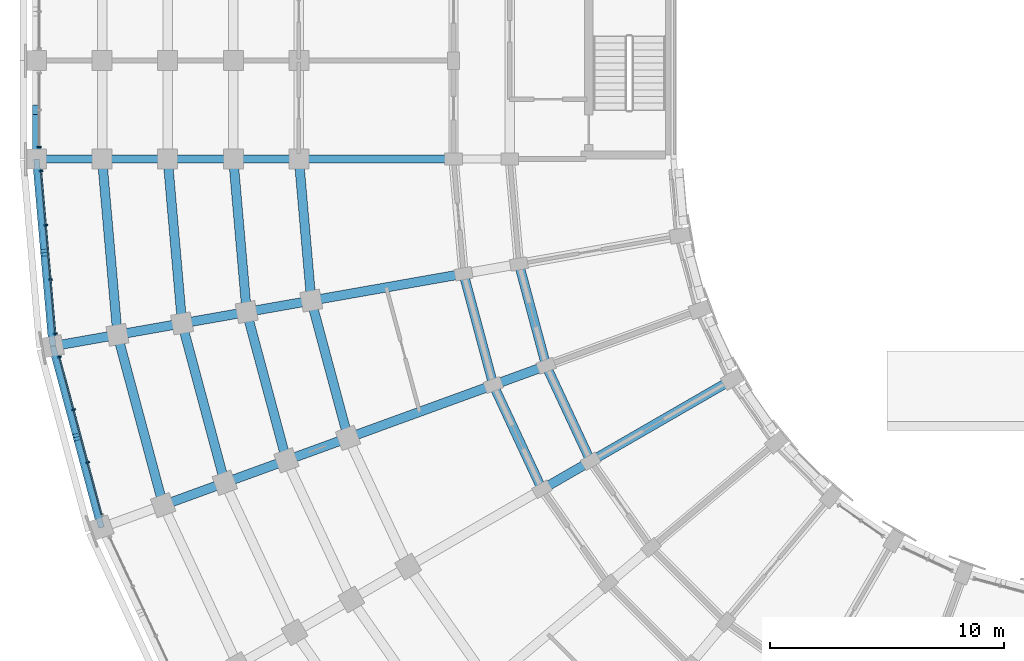
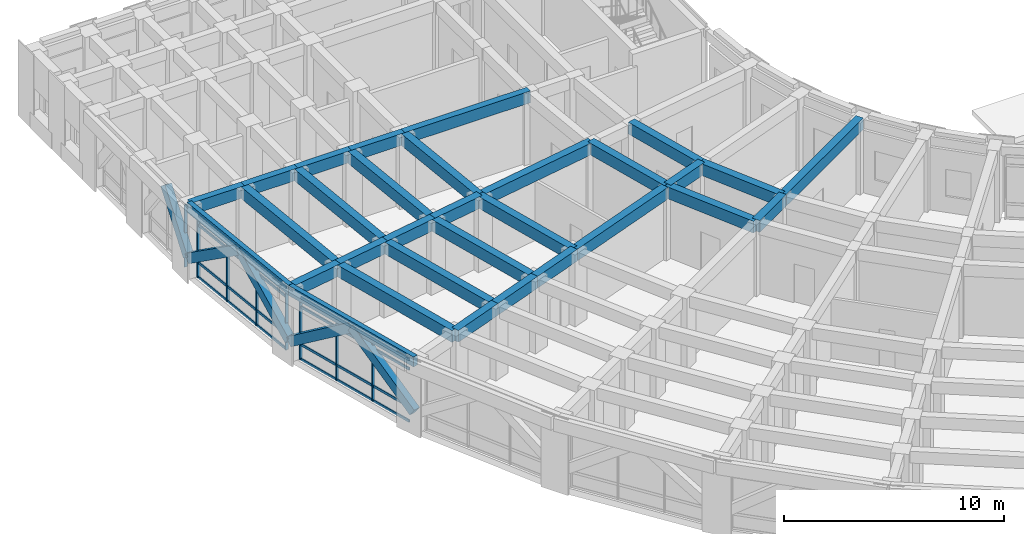
# One storey, part 11 of 97: 36 beams, 16 members, 3 elements without a shape of their own.
"""IFC4 building model written with IfcOpenShell, lengths in metres."""

from ifc_helpers import new_model, si_unit, direction, frame, origin, origin_2d, place, context, subcontext, project, spatial, rectangle, extrude, material, material_profile, profile_set, type_object, element, aggregate, save


model = new_model("IFC4")

# Units and contexts
model_context = context("Model", 3, precision=1e-05, world=origin(), true_north=direction((0.0, 1.0)))
body_context = subcontext(model_context, "Body", "Model", "MODEL_VIEW")
ifc_project = project(units=[si_unit("LENGTHUNIT", "METRE"), si_unit("AREAUNIT", "SQUARE_METRE"), si_unit("VOLUMEUNIT", "CUBIC_METRE"), si_unit("PLANEANGLEUNIT", "RADIAN"), si_unit("MASSUNIT", "GRAM", prefix="KILO")], contexts=[model_context])

# Site, building, storey
site_placement = place(None, origin())
site = spatial("IfcSite", under=ifc_project, at=site_placement, CompositionType="ELEMENT")
building_placement = place(site_placement, origin())
building = spatial("IfcBuilding", under=site, at=building_placement, Name="Kiranvali Square Residences", CompositionType="ELEMENT")
storey_placement = place(building_placement, frame((0.0, 0.0, 4.5)))
storey = spatial("IfcBuildingStorey", under=building, at=storey_placement, Name="L01", CompositionType="ELEMENT", Elevation=4.5)

# Beams
ifc_material_1 = material(Name="Concrete M40 (40 MPa)", Category="concrete")
ifc_material_profile_1 = material_profile(ifc_material_1, rectangle(XDim=0.35009765625, YDim=0.5, at=origin_2d()), Name="RC 350x500")
ifc_profile_set_1 = profile_set([ifc_material_profile_1], Name="Concrete M40 (40 MPa)")
beam_type_1 = type_object("IfcBeamType", Name="AR-M40-350x500", PredefinedType="USERDEFINED", material=ifc_profile_set_1)
for number, where, z_axis, x_axis, name in (
    (1, (4.9638671875, 32.505615234375, 0.89990234375), (-0.212753144827, 0.793981793339, 0.56949891239), (-0.965923890569, -0.2588262692, 0.0), "Classical pointed Ottoman arch rib ARCH-C-CRV-7-07.1"),
    (2, (3.9365234375, 36.339599609375, 3.64990234375), (-0.212753144827, 0.793981793339, -0.56949891239), (-0.965923890569, -0.2588262692, 0.0), "Classical pointed Ottoman arch rib ARCH-C-CRV-7-07.2"),
    (3, (2.895263671875, 40.251953125, 0.89990234375), (-0.07164281584, 0.818861711603, 0.569502242498), (-0.996194518621, -0.087157794078, 0.0), "Classical pointed Ottoman arch rib ARCH-C-CRV-7-08.1"),
    (4, (2.54931640625, 44.2060546875, 3.64990234375), (-0.07164281584, 0.818861711603, -0.569502242498), (-0.996194518621, -0.087157794078, 0.0), "Classical pointed Ottoman arch rib ARCH-C-CRV-7-08.2"),
):
    element("IfcBeam", number, at=place(storey_placement, frame(where, z_axis=z_axis, x_axis=x_axis)), inside=storey, type_object=beam_type_1, Name=name, ObjectType="ARCH RIB", PredefinedType="USERDEFINED", context=body_context, shape_type="SweptSolid", body=[
        extrude(rectangle(XDim=0.35009765625, YDim=0.5, at=origin_2d()), origin(), (0.0, 0.0, 1.0), 4.828857421875),
    ])
beam_1_placement = place(storey_placement, frame((2.199951171875, 48.239990234375, 0.89990234375), z_axis=(0.0, 0.599545163906, 0.800340925129), x_axis=(-1.0, 0.0, 0.0)))
element("IfcBeam", 5, at=beam_1_placement, inside=storey, type_object=beam_type_1, Name="Classical pointed Ottoman arch rib ARCH-C-A2-0.1", ObjectType="ARCH RIB", PredefinedType="USERDEFINED", context=body_context, shape_type="SweptSolid", body=[
    extrude(rectangle(XDim=0.35009765625, YDim=0.5, at=origin_2d()), origin(), (0.0, 0.0, 1.0), 3.43603515625),
])
ifc_material_profile_2 = material_profile(ifc_material_1, rectangle(XDim=0.35009765625, YDim=0.64990234375, at=origin_2d()), Name="RC 350x650")
ifc_profile_set_2 = profile_set([ifc_material_profile_2], Name="Concrete M40 (40 MPa)")
beam_type_2 = type_object("IfcBeamType", Name="BM-M40-350x650", PredefinedType="BEAM", material=ifc_profile_set_2)
beam_2_placement = place(storey_placement, frame((20.0, 48.199951171875, 3.655029296875), z_axis=(-1.0, 0.0, 0.0), x_axis=(0.0, -1.0, 0.0)))
element("IfcBeam", 6, at=beam_2_placement, inside=storey, type_object=beam_type_2, Name="L01 beam BM-C-L01-A2T0-23", PredefinedType="BEAM", context=body_context, shape_type="SweptSolid", body=[
    extrude(rectangle(XDim=0.35009765625, YDim=0.64990234375, at=origin_2d()), origin(), (0.0, 0.0, 1.0), 6.60009765625),
])
beam_3_placement = place(storey_placement, frame((13.39990234375, 48.199951171875, 3.655029296875), z_axis=(-1.0, 0.0, 0.0), x_axis=(0.0, -1.0, 0.0)))
element("IfcBeam", 7, at=beam_3_placement, inside=storey, type_object=beam_type_2, Name="L01 beam BM-C-L01-A2T0-34", PredefinedType="BEAM", context=body_context, shape_type="SweptSolid", body=[
    extrude(rectangle(XDim=0.35009765625, YDim=0.64990234375, at=origin_2d()), origin(), (0.0, 0.0, 1.0), 2.7998046875),
])
for number, where, z_axis, x_axis, name in (
    (8, (10.60009765625, 48.199951171875, 3.655029296875), (-1.0, 0.0, 0.0), (0.0, -1.0, 0.0), "L01 beam BM-C-L01-A2T0-45"),
    (9, (7.800048828125, 48.199951171875, 3.655029296875), (-1.0, 0.0, 0.0), (0.0, -1.0, 0.0), "L01 beam BM-C-L01-A2T0-56"),
    (10, (5.0, 48.199951171875, 3.655029296875), (-1.0, 0.0, 0.0), (0.0, -1.0, 0.0), "L01 beam BM-C-L01-A2T0-67"),
):
    element("IfcBeam", number, at=place(storey_placement, frame(where, z_axis=z_axis, x_axis=x_axis)), inside=storey, type_object=beam_type_2, Name=name, PredefinedType="BEAM", context=body_context, shape_type="SweptSolid", body=[
        extrude(rectangle(XDim=0.35009765625, YDim=0.64990234375, at=origin_2d()), origin(), (0.0, 0.0, 1.0), 2.800048828125),
    ])
ifc_material_2 = material(Name="Concrete M45 (45 MPa)", Category="concrete")
ifc_material_profile_3 = material_profile(ifc_material_2, rectangle(XDim=0.39990234375, YDim=0.64990234375, at=origin_2d()), Name="RC 400x650")
ifc_profile_set_3 = profile_set([ifc_material_profile_3], Name="Concrete M45 (45 MPa)")
beam_type_3 = type_object("IfcBeamType", Name="BM-M45-400x650", PredefinedType="BEAM", material=ifc_profile_set_3)
beam_4_placement = place(storey_placement, frame((25.8564453125, 35.300048828125, 3.655029296875), z_axis=(-0.422617978463, 0.906307919131, 0.0), x_axis=(-0.906307919131, -0.422617978463, 0.0)))
element("IfcBeam", 11, at=beam_4_placement, inside=storey, type_object=beam_type_3, Name="L01 beam BM-C-L01-C06-R1", PredefinedType="BEAM", context=body_context, shape_type="SweptSolid", body=[
    extrude(rectangle(XDim=0.39990234375, YDim=0.64990234375, at=origin_2d()), origin(), (0.0, 0.0, 1.0), 4.497314453125),
])
beam_5_placement = place(storey_placement, frame((23.778076171875, 34.10009765625, 3.655029296875), z_axis=(-0.422629854778, 0.906302381024, 0.0), x_axis=(-0.906302381024, -0.422629854778, 0.0)))
element("IfcBeam", 12, at=beam_5_placement, inside=storey, type_object=beam_type_3, Name="L01 beam BM-C-L01-C06-R2", PredefinedType="BEAM", context=body_context, shape_type="SweptSolid", body=[
    extrude(rectangle(XDim=0.39990234375, YDim=0.64990234375, at=origin_2d()), origin(), (0.0, 0.0, 1.0), 4.915283203125),
])
beam_6_placement = place(storey_placement, frame((23.955810546875, 39.3759765625, 3.655029296875), z_axis=(-0.258787642463, 0.965934240054, 0.0), x_axis=(-0.965934240054, -0.258787642463, 0.0)))
element("IfcBeam", 13, at=beam_6_placement, inside=storey, type_object=beam_type_3, Name="L01 beam BM-C-L01-C07-R1", PredefinedType="BEAM", context=body_context, shape_type="SweptSolid", body=[
    extrude(rectangle(XDim=0.39990234375, YDim=0.64990234375, at=origin_2d()), origin(), (0.0, 0.0, 1.0), 4.497314453125),
])
beam_7_placement = place(storey_placement, frame((21.70068359375, 38.554931640625, 3.655029296875), z_axis=(-0.258803112091, 0.965930095386, 0.0), x_axis=(-0.965930095386, -0.258803112091, 0.0)))
element("IfcBeam", 14, at=beam_7_placement, inside=storey, type_object=beam_type_3, Name="L01 beam BM-C-L01-C07-R2", PredefinedType="BEAM", context=body_context, shape_type="SweptSolid", body=[
    extrude(rectangle(XDim=0.39990234375, YDim=0.64990234375, at=origin_2d()), origin(), (0.0, 0.0, 1.0), 4.915771484375),
])
beam_8_placement = place(storey_placement, frame((15.498779296875, 36.297607421875, 3.655029296875), z_axis=(-0.258827283048, 0.965923618901, 0.0), x_axis=(-0.965923618901, -0.258827283048, 0.0)))
element("IfcBeam", 15, at=beam_8_placement, inside=storey, type_object=beam_type_3, Name="L01 beam BM-C-L01-C07-R3", PredefinedType="BEAM", context=body_context, shape_type="SweptSolid", body=[
    extrude(rectangle(XDim=0.39990234375, YDim=0.64990234375, at=origin_2d()), origin(), (0.0, 0.0, 1.0), 6.066162109375),
])
beam_9_placement = place(storey_placement, frame((12.86767578125, 35.340087890625, 3.655029296875), z_axis=(-0.258847178297, 0.965918287583, 0.0), x_axis=(-0.965918287583, -0.258847178297, 0.0)))
element("IfcBeam", 16, at=beam_9_placement, inside=storey, type_object=beam_type_3, Name="L01 beam BM-C-L01-C07-R4", PredefinedType="BEAM", context=body_context, shape_type="SweptSolid", body=[
    extrude(rectangle(XDim=0.39990234375, YDim=0.64990234375, at=origin_2d()), origin(), (0.0, 0.0, 1.0), 6.55419921875),
])
beam_10_placement = place(storey_placement, frame((10.236328125, 34.38232421875, 3.655029296875), z_axis=(-0.258799624492, 0.965931029817, 0.0), x_axis=(-0.965931029817, -0.258799624492, 0.0)))
element("IfcBeam", 17, at=beam_10_placement, inside=storey, type_object=beam_type_3, Name="L01 beam BM-C-L01-C07-R5", PredefinedType="BEAM", context=body_context, shape_type="SweptSolid", body=[
    extrude(rectangle(XDim=0.39990234375, YDim=0.64990234375, at=origin_2d()), origin(), (0.0, 0.0, 1.0), 7.042236328125),
])
beam_11_placement = place(storey_placement, frame((7.605224609375, 33.4248046875, 3.655029296875), z_axis=(-0.258818733833, 0.965925909693, 0.0), x_axis=(-0.965925909693, -0.258818733833, 0.0)))
element("IfcBeam", 18, at=beam_11_placement, inside=storey, type_object=beam_type_3, Name="L01 beam BM-C-L01-C07-R6", PredefinedType="BEAM", context=body_context, shape_type="SweptSolid", body=[
    extrude(rectangle(XDim=0.39990234375, YDim=0.64990234375, at=origin_2d()), origin(), (0.0, 0.0, 1.0), 7.5302734375),
])
beam_12_placement = place(storey_placement, frame((13.9287109375, 42.156982421875, 3.655029296875), z_axis=(-0.087174938512, 0.996193018494, 0.0), x_axis=(-0.996193018494, -0.087174938512, 0.0)))
element("IfcBeam", 19, at=beam_12_placement, inside=storey, type_object=beam_type_3, Name="L01 beam BM-C-L01-C08-R3", PredefinedType="BEAM", context=body_context, shape_type="SweptSolid", body=[
    extrude(rectangle(XDim=0.39990234375, YDim=0.64990234375, at=origin_2d()), origin(), (0.0, 0.0, 1.0), 6.066162109375),
])
beam_13_placement = place(storey_placement, frame((11.171142578125, 41.6708984375, 3.655029296875), z_axis=(-0.0871295204, 0.996196991902, 0.0), x_axis=(-0.996196991902, -0.0871295204, 0.0)))
element("IfcBeam", 20, at=beam_13_placement, inside=storey, type_object=beam_type_3, Name="L01 beam BM-C-L01-C08-R4", PredefinedType="BEAM", context=body_context, shape_type="SweptSolid", body=[
    extrude(rectangle(XDim=0.39990234375, YDim=0.64990234375, at=origin_2d()), origin(), (0.0, 0.0, 1.0), 6.553955078125),
])
beam_14_placement = place(storey_placement, frame((8.413818359375, 41.1845703125, 3.655029296875), z_axis=(-0.087156198737, 0.996194658198, 0.0), x_axis=(-0.996194658198, -0.087156198737, 0.0)))
element("IfcBeam", 21, at=beam_14_placement, inside=storey, type_object=beam_type_3, Name="L01 beam BM-C-L01-C08-R5", PredefinedType="BEAM", context=body_context, shape_type="SweptSolid", body=[
    extrude(rectangle(XDim=0.39990234375, YDim=0.64990234375, at=origin_2d()), origin(), (0.0, 0.0, 1.0), 7.042236328125),
])
beam_15_placement = place(storey_placement, frame((5.65625, 40.698486328125, 3.655029296875), z_axis=(-0.087150058103, 0.996195195417, 0.0), x_axis=(-0.996195195417, -0.087150058103, 0.0)))
element("IfcBeam", 22, at=beam_15_placement, inside=storey, type_object=beam_type_3, Name="L01 beam BM-C-L01-C08-R6", PredefinedType="BEAM", context=body_context, shape_type="SweptSolid", body=[
    extrude(rectangle(XDim=0.39990234375, YDim=0.64990234375, at=origin_2d()), origin(), (0.0, 0.0, 1.0), 7.530029296875),
])
beam_16_placement = place(storey_placement, frame((31.918701171875, 38.800048828125, 3.655029296875), z_axis=(-0.866028190633, -0.499995173006, 0.0), x_axis=(0.499995173006, -0.866028190633, 0.0)))
element("IfcBeam", 23, at=beam_16_placement, inside=storey, type_object=beam_type_3, Name="L01 beam BM-C-L01-RAD06-01", PredefinedType="BEAM", context=body_context, shape_type="SweptSolid", body=[
    extrude(rectangle(XDim=0.39990234375, YDim=0.64990234375, at=origin_2d()), origin(), (0.0, 0.0, 1.0), 7.0),
])
for number, where, z_axis, x_axis, name in (
    (24, (25.8564453125, 35.300048828125, 3.655029296875), (-0.866024647952, -0.500001309137, 0.0), (0.500001309137, -0.866024647952, 0.0), "L01 beam BM-C-L01-RAD06-12"),
    (25, (23.955810546875, 39.3759765625, 3.655029296875), (-0.939659694648, -0.342110593602, 0.0), (0.342110593602, -0.939659694648, 0.0), "L01 beam BM-C-L01-RAD07-12"),
):
    element("IfcBeam", number, at=place(storey_placement, frame(where, z_axis=z_axis, x_axis=x_axis)), inside=storey, type_object=beam_type_3, Name=name, PredefinedType="BEAM", context=body_context, shape_type="SweptSolid", body=[
        extrude(rectangle(XDim=0.39990234375, YDim=0.64990234375, at=origin_2d()), origin(), (0.0, 0.0, 1.0), 2.39990234375),
    ])
beam_17_placement = place(storey_placement, frame((21.70068359375, 38.554931640625, 3.655029296875), z_axis=(-0.939691858249, -0.342022238372, 0.0), x_axis=(0.342022238372, -0.939691858249, 0.0)))
element("IfcBeam", 26, at=beam_17_placement, inside=storey, type_object=beam_type_3, Name="L01 beam BM-C-L01-RAD07-23", PredefinedType="BEAM", context=body_context, shape_type="SweptSolid", body=[
    extrude(rectangle(XDim=0.39990234375, YDim=0.64990234375, at=origin_2d()), origin(), (0.0, 0.0, 1.0), 6.599853515625),
])
beam_18_placement = place(storey_placement, frame((15.498779296875, 36.297607421875, 3.655029296875), z_axis=(-0.93970683422, -0.341981089711, 0.0), x_axis=(0.341981089711, -0.93970683422, 0.0)))
element("IfcBeam", 27, at=beam_18_placement, inside=storey, type_object=beam_type_3, Name="L01 beam BM-C-L01-RAD07-34", PredefinedType="BEAM", context=body_context, shape_type="SweptSolid", body=[
    extrude(rectangle(XDim=0.39990234375, YDim=0.64990234375, at=origin_2d()), origin(), (0.0, 0.0, 1.0), 2.7998046875),
])
beam_19_placement = place(storey_placement, frame((12.86767578125, 35.340087890625, 3.655029296875), z_axis=(-0.939689011208, -0.342030060398, 0.0), x_axis=(0.342030060398, -0.939689011208, 0.0)))
element("IfcBeam", 28, at=beam_19_placement, inside=storey, type_object=beam_type_3, Name="L01 beam BM-C-L01-RAD07-45", PredefinedType="BEAM", context=body_context, shape_type="SweptSolid", body=[
    extrude(rectangle(XDim=0.39990234375, YDim=0.64990234375, at=origin_2d()), origin(), (0.0, 0.0, 1.0), 2.80029296875),
])
beam_20_placement = place(storey_placement, frame((10.236328125, 34.38232421875, 3.655029296875), z_axis=(-0.93970683422, -0.341981089711, 0.0), x_axis=(0.341981089711, -0.93970683422, 0.0)))
element("IfcBeam", 29, at=beam_20_placement, inside=storey, type_object=beam_type_3, Name="L01 beam BM-C-L01-RAD07-56", PredefinedType="BEAM", context=body_context, shape_type="SweptSolid", body=[
    extrude(rectangle(XDim=0.39990234375, YDim=0.64990234375, at=origin_2d()), origin(), (0.0, 0.0, 1.0), 2.7998046875),
])
beam_21_placement = place(storey_placement, frame((20.428466796875, 43.30322265625, 3.655029296875), z_axis=(-0.984803661269, -0.173671381499, 0.0), x_axis=(0.173671381499, -0.984803661269, 0.0)))
element("IfcBeam", 30, at=beam_21_placement, inside=storey, type_object=beam_type_3, Name="L01 beam BM-C-L01-RAD08-23", PredefinedType="BEAM", context=body_context, shape_type="SweptSolid", body=[
    extrude(rectangle(XDim=0.39990234375, YDim=0.64990234375, at=origin_2d()), origin(), (0.0, 0.0, 1.0), 6.60009765625),
])
beam_22_placement = place(storey_placement, frame((13.9287109375, 42.156982421875, 3.655029296875), z_axis=(-0.984816895441, -0.173596320392, 0.0), x_axis=(0.173596320392, -0.984816895441, 0.0)))
element("IfcBeam", 31, at=beam_22_placement, inside=storey, type_object=beam_type_3, Name="L01 beam BM-C-L01-RAD08-34", PredefinedType="BEAM", context=body_context, shape_type="SweptSolid", body=[
    extrude(rectangle(XDim=0.39990234375, YDim=0.64990234375, at=origin_2d()), origin(), (0.0, 0.0, 1.0), 2.800048828125),
])
beam_23_placement = place(storey_placement, frame((11.171142578125, 41.6708984375, 3.655029296875), z_axis=(-0.984799355489, -0.173695795656, 0.0), x_axis=(0.173695795656, -0.984799355489, 0.0)))
element("IfcBeam", 32, at=beam_23_placement, inside=storey, type_object=beam_type_3, Name="L01 beam BM-C-L01-RAD08-45", PredefinedType="BEAM", context=body_context, shape_type="SweptSolid", body=[
    extrude(rectangle(XDim=0.39990234375, YDim=0.64990234375, at=origin_2d()), origin(), (0.0, 0.0, 1.0), 2.7998046875),
])
beam_24_placement = place(storey_placement, frame((8.413818359375, 41.1845703125, 3.655029296875), z_axis=(-0.984816895441, -0.173596320392, 0.0), x_axis=(0.173596320392, -0.984816895441, 0.0)))
element("IfcBeam", 33, at=beam_24_placement, inside=storey, type_object=beam_type_3, Name="L01 beam BM-C-L01-RAD08-56", PredefinedType="BEAM", context=body_context, shape_type="SweptSolid", body=[
    extrude(rectangle(XDim=0.39990234375, YDim=0.64990234375, at=origin_2d()), origin(), (0.0, 0.0, 1.0), 2.800048828125),
])
beam_25_placement = place(storey_placement, frame((5.65625, 40.698486328125, 3.655029296875), z_axis=(-0.984799355489, -0.173695795656, 0.0), x_axis=(0.173695795656, -0.984799355489, 0.0)))
element("IfcBeam", 34, at=beam_25_placement, inside=storey, type_object=beam_type_3, Name="L01 beam BM-C-L01-RAD08-67", PredefinedType="BEAM", context=body_context, shape_type="SweptSolid", body=[
    extrude(rectangle(XDim=0.39990234375, YDim=0.64990234375, at=origin_2d()), origin(), (0.0, 0.0, 1.0), 2.7998046875),
])

# Curtain wall, members
ifc_material_3 = material(Name="Anodised bronze aluminium framing", Category="aluminium")
curtain_wall_type = type_object("IfcCurtainWallType", Name="CW-RET-SHOP", PredefinedType="USERDEFINED", material=ifc_material_3)
curtain_wall_1_placement = place(storey_placement, origin())
curtain_wall_1 = element("IfcCurtainWall", 35, at=curtain_wall_1_placement, inside=storey, type_object=curtain_wall_type, Name="Block C L01 rounded-corner arcade curtain wall 8", ObjectType="CURTAIN WALL", PredefinedType="USERDEFINED")
ifc_material_profile_4 = material_profile(ifc_material_3, rectangle(XDim=0.06494140625, YDim=0.159912109375, at=origin_2d()), Name="ALU 65x160")
ifc_profile_set_4 = profile_set([ifc_material_profile_4], Name="Anodised bronze aluminium framing")
member_type_1 = type_object("IfcMemberType", Name="CW-MUL-160", PredefinedType="MULLION", material=ifc_profile_set_4)
member_1_placement = place(storey_placement, frame((4.38232421875, 35.255126953125, 0.02001953125), z_axis=(0.0, 0.0, 1.0), x_axis=(-0.258819045103, 0.965925826289, 0.0)))
member_1 = element("IfcMember", 36, at=member_1_placement, type_object=member_type_1, Name="CW-C-L01-CRV-07 vertical mullion 2", PredefinedType="MULLION", context=body_context, shape_type="SweptSolid", body=[
    extrude(rectangle(XDim=0.06494140625, YDim=0.159912109375, at=origin_2d()), origin(), (0.0, 0.0, 1.0), 3.43994140625),
])
member_2_placement = place(storey_placement, frame((3.7802734375, 37.501953125, 0.02001953125), z_axis=(0.0, 0.0, 1.0), x_axis=(-0.258819045103, 0.965925826289, 0.0)))
member_2 = element("IfcMember", 37, at=member_2_placement, type_object=member_type_1, Name="CW-C-L01-CRV-07 vertical mullion 3", PredefinedType="MULLION", context=body_context, shape_type="SweptSolid", body=[
    extrude(rectangle(XDim=0.06494140625, YDim=0.159912109375, at=origin_2d()), origin(), (0.0, 0.0, 1.0), 3.43994140625),
])
member_3_placement = place(storey_placement, frame((3.17822265625, 39.748779296875, 0.02001953125), z_axis=(0.0, 0.0, 1.0), x_axis=(-0.258819045103, 0.965925826289, 0.0)))
member_3 = element("IfcMember", 38, at=member_3_placement, type_object=member_type_1, Name="CW-C-L01-CRV-07 vertical mullion 4", PredefinedType="MULLION", context=body_context, shape_type="SweptSolid", body=[
    extrude(rectangle(XDim=0.06494140625, YDim=0.159912109375, at=origin_2d()), origin(), (0.0, 0.0, 1.0), 3.43994140625),
])

curtain_wall_2_placement = place(storey_placement, origin())
curtain_wall_2 = element("IfcCurtainWall", 39, at=curtain_wall_2_placement, inside=storey, type_object=curtain_wall_type, Name="Block C L01 rounded-corner arcade curtain wall 9", ObjectType="CURTAIN WALL", PredefinedType="USERDEFINED")
member_4_placement = place(storey_placement, frame((3.0029296875, 40.7431640625, 0.02001953125), z_axis=(0.0, 0.0, 1.0), x_axis=(-0.087155742748, 0.996194698092, 0.0)))
member_4 = element("IfcMember", 40, at=member_4_placement, type_object=member_type_1, Name="CW-C-L01-CRV-08 vertical mullion 1", PredefinedType="MULLION", context=body_context, shape_type="SweptSolid", body=[
    extrude(rectangle(XDim=0.06494140625, YDim=0.159912109375, at=origin_2d()), origin(), (0.0, 0.0, 1.0), 3.43994140625),
])
member_5_placement = place(storey_placement, frame((2.80029296875, 43.060546875, 0.02001953125), z_axis=(0.0, 0.0, 1.0), x_axis=(-0.087155742748, 0.996194698092, 0.0)))
member_5 = element("IfcMember", 41, at=member_5_placement, type_object=member_type_1, Name="CW-C-L01-CRV-08 vertical mullion 2", PredefinedType="MULLION", context=body_context, shape_type="SweptSolid", body=[
    extrude(rectangle(XDim=0.06494140625, YDim=0.159912109375, at=origin_2d()), origin(), (0.0, 0.0, 1.0), 3.43994140625),
])
member_6_placement = place(storey_placement, frame((2.597412109375, 45.377685546875, 0.02001953125), z_axis=(0.0, 0.0, 1.0), x_axis=(-0.087155742748, 0.996194698092, 0.0)))
member_6 = element("IfcMember", 42, at=member_6_placement, type_object=member_type_1, Name="CW-C-L01-CRV-08 vertical mullion 3", PredefinedType="MULLION", context=body_context, shape_type="SweptSolid", body=[
    extrude(rectangle(XDim=0.06494140625, YDim=0.159912109375, at=origin_2d()), origin(), (0.0, 0.0, 1.0), 3.43994140625),
])
member_7_placement = place(storey_placement, frame((2.394775390625, 47.695068359375, 0.02001953125), z_axis=(0.0, 0.0, 1.0), x_axis=(-0.087155742748, 0.996194698092, 0.0)))
member_7 = element("IfcMember", 43, at=member_7_placement, type_object=member_type_1, Name="CW-C-L01-CRV-08 vertical mullion 4", PredefinedType="MULLION", context=body_context, shape_type="SweptSolid", body=[
    extrude(rectangle(XDim=0.06494140625, YDim=0.159912109375, at=origin_2d()), origin(), (0.0, 0.0, 1.0), 3.43994140625),
])

# Curtain wall, member
curtain_wall_3_placement = place(storey_placement, origin())
curtain_wall_3 = element("IfcCurtainWall", 44, at=curtain_wall_3_placement, inside=storey, type_object=curtain_wall_type, Name="L01 curtain wall CW-C-L01-A2-0", ObjectType="CURTAIN WALL", PredefinedType="USERDEFINED")
member_8_placement = place(storey_placement, frame((2.320068359375, 48.719970703125, 0.02001953125), z_axis=(0.0, 0.0, 1.0), x_axis=(0.0, 1.0, 0.0)))
member_8 = element("IfcMember", 45, at=member_8_placement, type_object=member_type_1, Name="CW-C-L01-A2-0 vertical mullion 1", PredefinedType="MULLION", context=body_context, shape_type="SweptSolid", body=[
    extrude(rectangle(XDim=0.06494140625, YDim=0.159912109375, at=origin_2d()), origin(), (0.0, 0.0, 1.0), 3.43994140625),
])
aggregate(curtain_wall_3, [member_8])

# Member
ifc_material_profile_5 = material_profile(ifc_material_3, rectangle(XDim=0.06494140625, YDim=0.139892578125, at=origin_2d()), Name="ALU 65x140")
ifc_profile_set_5 = profile_set([ifc_material_profile_5], Name="Anodised bronze aluminium framing")
member_type_2 = type_object("IfcMemberType", Name="CW-TRN-140", PredefinedType="MULLION", material=ifc_profile_set_5)
member_9_placement = place(storey_placement, frame((4.98193359375, 33.017822265625, 0.0400390625), z_axis=(-0.258830788495, 0.96592267958, 0.0), x_axis=(-0.96592267958, -0.258830788495, 0.0)))
member_9 = element("IfcMember", 46, at=member_9_placement, type_object=member_type_2, Name="CW-C-L01-CRV-07 horizontal transom 1", PredefinedType="MULLION", context=body_context, shape_type="SweptSolid", body=[
    extrude(rectangle(XDim=0.06494140625, YDim=0.139892578125, at=origin_2d()), origin(), (0.0, 0.0, 1.0), 6.958251953125),
])

member_10_placement = place(storey_placement, frame((4.98193359375, 33.017822265625, 0.85009765625), z_axis=(-0.258830788495, 0.96592267958, 0.0), x_axis=(-0.96592267958, -0.258830788495, 0.0)))
member_10 = element("IfcMember", 47, at=member_10_placement, type_object=member_type_2, Name="CW-C-L01-CRV-07 horizontal transom 2", PredefinedType="MULLION", context=body_context, shape_type="SweptSolid", body=[
    extrude(rectangle(XDim=0.06494140625, YDim=0.139892578125, at=origin_2d()), origin(), (0.0, 0.0, 1.0), 6.958251953125),
])

member_11_placement = place(storey_placement, frame((4.98193359375, 33.017822265625, 2.929931640625), z_axis=(-0.258830788495, 0.96592267958, 0.0), x_axis=(-0.96592267958, -0.258830788495, 0.0)))
member_11 = element("IfcMember", 48, at=member_11_placement, type_object=member_type_2, Name="CW-C-L01-CRV-07 horizontal transom 3", PredefinedType="MULLION", context=body_context, shape_type="SweptSolid", body=[
    extrude(rectangle(XDim=0.06494140625, YDim=0.139892578125, at=origin_2d()), origin(), (0.0, 0.0, 1.0), 6.958251953125),
])

member_12_placement = place(storey_placement, frame((4.98193359375, 33.017822265625, 3.43994140625), z_axis=(-0.258830788495, 0.96592267958, 0.0), x_axis=(-0.96592267958, -0.258830788495, 0.0)))
member_12 = element("IfcMember", 49, at=member_12_placement, type_object=member_type_2, Name="CW-C-L01-CRV-07 horizontal transom 4", PredefinedType="MULLION", context=body_context, shape_type="SweptSolid", body=[
    extrude(rectangle(XDim=0.06494140625, YDim=0.139892578125, at=origin_2d()), origin(), (0.0, 0.0, 1.0), 6.958251953125),
])

aggregate(curtain_wall_1, [member_1, member_2, member_3, member_9, member_10, member_11, member_12])

member_13_placement = place(storey_placement, frame((3.002197265625, 40.753173828125, 0.0400390625), z_axis=(-0.087188277046, 0.996191851174, 0.0), x_axis=(-0.996191851174, -0.087188277046, 0.0)))
member_13 = element("IfcMember", 50, at=member_13_placement, type_object=member_type_2, Name="CW-C-L01-CRV-08 horizontal transom 1", PredefinedType="MULLION", context=body_context, shape_type="SweptSolid", body=[
    extrude(rectangle(XDim=0.06494140625, YDim=0.139892578125, at=origin_2d()), origin(), (0.0, 0.0, 1.0), 6.95849609375),
])

member_14_placement = place(storey_placement, frame((3.002197265625, 40.753173828125, 0.85009765625), z_axis=(-0.087188277046, 0.996191851174, 0.0), x_axis=(-0.996191851174, -0.087188277046, 0.0)))
member_14 = element("IfcMember", 51, at=member_14_placement, type_object=member_type_2, Name="CW-C-L01-CRV-08 horizontal transom 2", PredefinedType="MULLION", context=body_context, shape_type="SweptSolid", body=[
    extrude(rectangle(XDim=0.06494140625, YDim=0.139892578125, at=origin_2d()), origin(), (0.0, 0.0, 1.0), 6.95849609375),
])

member_15_placement = place(storey_placement, frame((3.002197265625, 40.753173828125, 2.929931640625), z_axis=(-0.087188277046, 0.996191851174, 0.0), x_axis=(-0.996191851174, -0.087188277046, 0.0)))
member_15 = element("IfcMember", 52, at=member_15_placement, type_object=member_type_2, Name="CW-C-L01-CRV-08 horizontal transom 3", PredefinedType="MULLION", context=body_context, shape_type="SweptSolid", body=[
    extrude(rectangle(XDim=0.06494140625, YDim=0.139892578125, at=origin_2d()), origin(), (0.0, 0.0, 1.0), 6.95849609375),
])

member_16_placement = place(storey_placement, frame((3.002197265625, 40.753173828125, 3.43994140625), z_axis=(-0.087188277046, 0.996191851174, 0.0), x_axis=(-0.996191851174, -0.087188277046, 0.0)))
member_16 = element("IfcMember", 53, at=member_16_placement, type_object=member_type_2, Name="CW-C-L01-CRV-08 horizontal transom 4", PredefinedType="MULLION", context=body_context, shape_type="SweptSolid", body=[
    extrude(rectangle(XDim=0.06494140625, YDim=0.139892578125, at=origin_2d()), origin(), (0.0, 0.0, 1.0), 6.95849609375),
])

aggregate(curtain_wall_2, [member_4, member_5, member_6, member_7, member_13, member_14, member_15, member_16])

# Beams
ifc_material_profile_6 = material_profile(ifc_material_1, rectangle(XDim=0.25, YDim=0.550048828125, at=origin_2d()), Name="RC 250x550")
ifc_profile_set_6 = profile_set([ifc_material_profile_6], Name="Concrete M40 (40 MPa)")
beam_type_4 = type_object("IfcBeamType", Name="SPN-M40-250x550", PredefinedType="SPANDREL", material=ifc_profile_set_6)
for number, where, z_axis, x_axis, name in (
    (54, (4.97412109375, 32.467041015625, 3.705078125), (-0.258807108475, 0.96592902462, 0.0), (-0.96592902462, -0.258807108475, 0.0), "L01 beam BM-C-L01-C07-R7"),
    (55, (2.89892578125, 40.212158203125, 3.705078125), (-0.087172238171, 0.996193254792, 0.0), (-0.996193254792, -0.087172238171, 0.0), "L01 beam BM-C-L01-C08-R7"),
):
    element("IfcBeam", number, at=place(storey_placement, frame(where, z_axis=z_axis, x_axis=x_axis)), inside=storey, type_object=beam_type_4, Name=name, PredefinedType="SPANDREL", context=body_context, shape_type="SweptSolid", body=[
        extrude(rectangle(XDim=0.25, YDim=0.550048828125, at=origin_2d()), origin(), (0.0, 0.0, 1.0), 8.018310546875),
    ])

save(model, "model.ifc")
